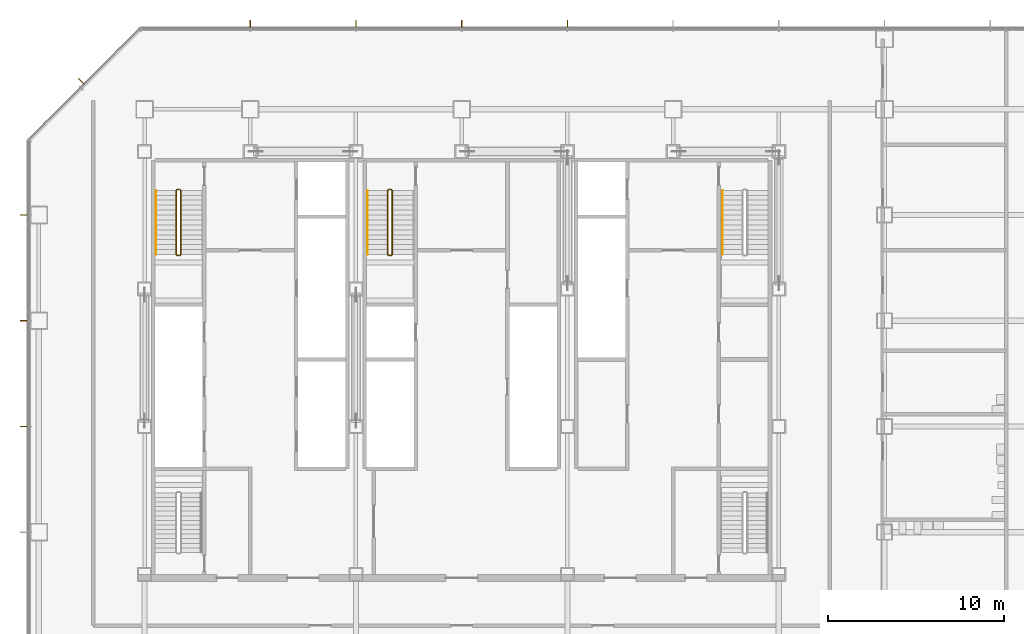
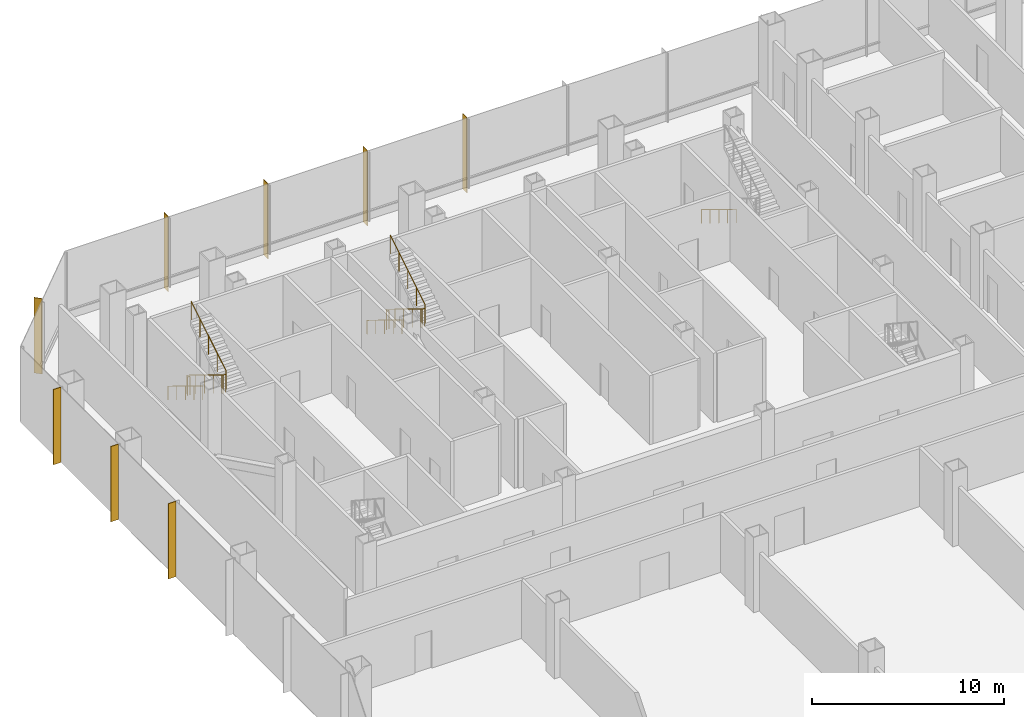
# One storey, part 29 of 33: 8 shading devices, 5 railings.
"""IFC4 building model written with IfcOpenShell, lengths in metres."""

from ifc_helpers import new_model, si_unit, direction, frame, origin, origin_2d, place, context, subcontext, project, spatial, rectangle, circle, extrude, material, material_profile, profile_set, type_object, element, save


model = new_model("IFC4")

# Units and contexts
model_context = context("Model", 3, precision=1e-05, world=origin(), true_north=direction((0.0, 1.0)))
body_context = subcontext(model_context, "Body", "Model", "MODEL_VIEW")
ifc_project = project(units=[si_unit("LENGTHUNIT", "METRE"), si_unit("AREAUNIT", "SQUARE_METRE"), si_unit("VOLUMEUNIT", "CUBIC_METRE"), si_unit("PLANEANGLEUNIT", "RADIAN"), si_unit("MASSUNIT", "GRAM", prefix="KILO")], contexts=[model_context])

# Site, building, storey
site_placement = place(None, origin())
site = spatial("IfcSite", under=ifc_project, at=site_placement, CompositionType="ELEMENT")
building_placement = place(site_placement, origin())
building = spatial("IfcBuilding", under=site, at=building_placement, Name="Sorahane Residences", CompositionType="ELEMENT")
storey_placement = place(building_placement, frame((0.0, 0.0, 34.800048828125)))
storey = spatial("IfcBuildingStorey", under=building, at=storey_placement, Name="L05", CompositionType="ELEMENT", Elevation=34.800048828125)

# Shading devices
ifc_material_1 = material(Name="Terracotta anodised aluminium", Category="masonry")
ifc_material_profile = material_profile(ifc_material_1, rectangle(XDim=0.449951171875, YDim=0.0400390625, at=origin_2d()), Name="Podium vertical fin terracotta anodised aluminium 450x40")
ifc_profile_set = profile_set([ifc_material_profile], Name="Terracotta anodised aluminium")
shading_device_type = type_object("IfcShadingDeviceType", Name="Podium vertical fin terracotta anodised aluminium 450x40", PredefinedType="USERDEFINED", material=ifc_profile_set)
for number, where, z_axis, x_axis, name in (
    (1, (30.0, 52.844970703125, -0.400146484375), (0.0, 0.0, 1.0), (0.0, 1.0, 0.0), "Podium vertical fin L05 N1.6"),
    (2, (24.0, 52.844970703125, -0.400146484375), (0.0, 0.0, 1.0), (0.0, 1.0, 0.0), "Podium vertical fin L05 N1.7"),
    (3, (18.0, 52.844970703125, -0.400146484375), (0.0, 0.0, 1.0), (0.0, 1.0, 0.0), "Podium vertical fin L05 N1.8"),
    (4, (12.0, 52.844970703125, -0.400146484375), (0.0, 0.0, 1.0), (0.0, 1.0, 0.0), "Podium vertical fin L05 N1.9"),
    (5, (2.402587890625, 49.597412109375, -0.400146484375), (0.0, 0.0, 1.0), (-0.707106781187, 0.707106781187, 0.0), "Podium vertical fin L05 NW1.1"),
    (6, (-0.844970703125, 42.0, -0.400146484375), (0.0, 0.0, 1.0), (-1.0, 0.0, 0.0), "Podium vertical fin L05 W1.1"),
    (7, (-0.844970703125, 36.0, -0.400146484375), (0.0, 0.0, 1.0), (-1.0, 0.0, 0.0), "Podium vertical fin L05 W1.2"),
    (8, (-0.844970703125, 30.0, -0.400146484375), (0.0, 0.0, 1.0), (-1.0, 0.0, 0.0), "Podium vertical fin L05 W1.3"),
):
    element("IfcShadingDevice", number, at=place(storey_placement, frame(where, z_axis=z_axis, x_axis=x_axis)), inside=storey, type_object=shading_device_type, Name=name, ObjectType="Vertical fin", PredefinedType="USERDEFINED", context=body_context, shape_type="SweptSolid", body=[
        extrude(rectangle(XDim=0.449951171875, YDim=0.0400390625, at=origin_2d()), origin(), (0.0, 0.0, 1.0), 4.800048828125),
    ])

# Railings
ifc_material_2 = material(Name="Steel Q355B", Category="steel")
railing_type_1 = type_object("IfcRailingType", Name="Stair guard 1200 Steel Q355B", PredefinedType="GUARDRAIL", material=ifc_material_2)
railing_1_placement = place(storey_placement, frame((8.0, 43.449951171875, 0.0)))
element("IfcRailing", 9, at=railing_1_placement, inside=storey, type_object=railing_type_1, Name="L05 S1 stair guard 1", PredefinedType="GUARDRAIL", context=body_context, shape_type="SweptSolid", body=[
    extrude(circle(Radius=0.02392578125, at=origin_2d()), frame((0.0, 0.0, 1.17578125), z_axis=(-1.0, 0.0, 0.0), x_axis=(0.0, -1.0, 0.0)), (0.0, 0.0, 1.0), 0.14990234375),
    extrude(circle(Radius=0.02392578125, at=origin_2d()), frame((-0.14990234375, 0.0, 1.17578125), z_axis=(-0.269911200495, -0.269911200495, 0.924281281696), x_axis=(0.707106781187, -0.707106781187, 0.0)), (0.0, 0.0, 1.0), 0.185546875),
    extrude(circle(Radius=0.02392578125, at=origin_2d()), frame((-0.199951171875, -0.050048828125, 1.34716796875), z_axis=(0.0, -0.852850264322, 0.5221555579), x_axis=(1.0, 0.0, 0.0)), (0.0, 0.0, 1.0), 4.267822265625),
    extrude(circle(Radius=0.02392578125, at=origin_2d()), frame((-0.199951171875, -3.68994140625, 3.57568359375), z_axis=(0.707106781187, -0.707106781187, 0.0), x_axis=(0.707106781187, 0.707106781187, 0.0)), (0.0, 0.0, 1.0), 0.07080078125),
    extrude(circle(Radius=0.02392578125, at=origin_2d()), frame((-0.14990234375, -3.739990234375, 3.57568359375), z_axis=(1.0, 0.0, 0.0), x_axis=(0.0, 1.0, 0.0)), (0.0, 0.0, 1.0), 0.14990234375),
    extrude(circle(Radius=0.02392578125, at=origin_2d()), frame((0.0, -3.739990234375, 3.57568359375), z_axis=(0.269911200495, 0.269911200495, 0.924281281696), x_axis=(-0.707106781187, 0.707106781187, 0.0)), (0.0, 0.0, 1.0), 0.185546875),
    extrude(circle(Radius=0.02392578125, at=origin_2d()), frame((0.050048828125, -3.68994140625, 3.7470703125), z_axis=(0.0, 0.852824790078, 0.522197163366), x_axis=(-1.0, 0.0, 0.0)), (0.0, 0.0, 1.0), 4.26806640625),
    extrude(circle(Radius=0.02099609375, at=origin_2d()), origin(), (0.0, 0.0, 1.0), 1.15185546875),
    extrude(circle(Radius=0.02099609375, at=origin_2d()), frame((-0.14990234375, 0.0, 0.0)), (0.0, 0.0, 1.0), 1.15185546875),
    extrude(circle(Radius=0.02099609375, at=origin_2d()), frame((-0.199951171875, -0.050048828125, 0.17138671875)), (0.0, 0.0, 1.0), 1.15185546875),
    extrude(circle(Radius=0.02099609375, at=origin_2d()), frame((-0.199951171875, -0.9599609375, 0.728515625)), (0.0, 0.0, 1.0), 1.15185546875),
    extrude(circle(Radius=0.02099609375, at=origin_2d()), frame((-0.199951171875, -1.8701171875, 1.28564453125)), (0.0, 0.0, 1.0), 1.15185546875),
    extrude(circle(Radius=0.02099609375, at=origin_2d()), frame((-0.199951171875, -2.780029296875, 1.8427734375)), (0.0, 0.0, 1.0), 1.15185546875),
    extrude(circle(Radius=0.02099609375, at=origin_2d()), frame((-0.199951171875, -3.68994140625, 2.39990234375)), (0.0, 0.0, 1.0), 1.15185546875),
    extrude(circle(Radius=0.02099609375, at=origin_2d()), frame((-0.14990234375, -3.739990234375, 2.39990234375)), (0.0, 0.0, 1.0), 1.15185546875),
    extrude(circle(Radius=0.02099609375, at=origin_2d()), frame((0.0, -3.739990234375, 2.39990234375)), (0.0, 0.0, 1.0), 1.15185546875),
    extrude(circle(Radius=0.02099609375, at=origin_2d()), frame((0.050048828125, -3.68994140625, 2.5712890625)), (0.0, 0.0, 1.0), 1.15185546875),
    extrude(circle(Radius=0.02099609375, at=origin_2d()), frame((0.050048828125, -2.780029296875, 3.12841796875)), (0.0, 0.0, 1.0), 1.15185546875),
    extrude(circle(Radius=0.02099609375, at=origin_2d()), frame((0.050048828125, -1.8701171875, 3.685546875)), (0.0, 0.0, 1.0), 1.15185546875),
    extrude(circle(Radius=0.02099609375, at=origin_2d()), frame((0.050048828125, -0.9599609375, 4.242919921875)), (0.0, 0.0, 1.0), 1.15185546875),
    extrude(circle(Radius=0.02099609375, at=origin_2d()), frame((0.050048828125, -0.050048828125, 4.800048828125)), (0.0, 0.0, 1.0), 1.15185546875),
])
railing_2_placement = place(storey_placement, frame((20.0, 43.449951171875, 0.0)))
element("IfcRailing", 10, at=railing_2_placement, inside=storey, type_object=railing_type_1, Name="L05 S3 stair guard 1", PredefinedType="GUARDRAIL", context=body_context, shape_type="SweptSolid", body=[
    extrude(circle(Radius=0.02392578125, at=origin_2d()), frame((0.0, 0.0, 1.17578125), z_axis=(-1.0, 0.0, 0.0), x_axis=(0.0, -1.0, 0.0)), (0.0, 0.0, 1.0), 0.14990234375),
    extrude(circle(Radius=0.02392578125, at=origin_2d()), frame((-0.14990234375, 0.0, 1.17578125), z_axis=(-0.269911200495, -0.269911200495, 0.924281281696), x_axis=(0.707106781187, -0.707106781187, 0.0)), (0.0, 0.0, 1.0), 0.185546875),
    extrude(circle(Radius=0.02392578125, at=origin_2d()), frame((-0.199951171875, -0.050048828125, 1.34716796875), z_axis=(0.0, -0.852850264322, 0.5221555579), x_axis=(1.0, 0.0, 0.0)), (0.0, 0.0, 1.0), 4.267822265625),
    extrude(circle(Radius=0.02392578125, at=origin_2d()), frame((-0.199951171875, -3.68994140625, 3.57568359375), z_axis=(0.707106781187, -0.707106781187, 0.0), x_axis=(0.707106781187, 0.707106781187, 0.0)), (0.0, 0.0, 1.0), 0.07080078125),
    extrude(circle(Radius=0.02392578125, at=origin_2d()), frame((-0.14990234375, -3.739990234375, 3.57568359375), z_axis=(1.0, 0.0, 0.0), x_axis=(0.0, 1.0, 0.0)), (0.0, 0.0, 1.0), 0.14990234375),
    extrude(circle(Radius=0.02392578125, at=origin_2d()), frame((0.0, -3.739990234375, 3.57568359375), z_axis=(0.269911200495, 0.269911200495, 0.924281281696), x_axis=(-0.707106781187, 0.707106781187, 0.0)), (0.0, 0.0, 1.0), 0.185546875),
    extrude(circle(Radius=0.02392578125, at=origin_2d()), frame((0.050048828125, -3.68994140625, 3.7470703125), z_axis=(0.0, 0.852824790078, 0.522197163366), x_axis=(-1.0, 0.0, 0.0)), (0.0, 0.0, 1.0), 4.26806640625),
    extrude(circle(Radius=0.02099609375, at=origin_2d()), origin(), (0.0, 0.0, 1.0), 1.15185546875),
    extrude(circle(Radius=0.02099609375, at=origin_2d()), frame((-0.14990234375, 0.0, 0.0)), (0.0, 0.0, 1.0), 1.15185546875),
    extrude(circle(Radius=0.02099609375, at=origin_2d()), frame((-0.199951171875, -0.050048828125, 0.17138671875)), (0.0, 0.0, 1.0), 1.15185546875),
    extrude(circle(Radius=0.02099609375, at=origin_2d()), frame((-0.199951171875, -0.9599609375, 0.728515625)), (0.0, 0.0, 1.0), 1.15185546875),
    extrude(circle(Radius=0.02099609375, at=origin_2d()), frame((-0.199951171875, -1.8701171875, 1.28564453125)), (0.0, 0.0, 1.0), 1.15185546875),
    extrude(circle(Radius=0.02099609375, at=origin_2d()), frame((-0.199951171875, -2.780029296875, 1.8427734375)), (0.0, 0.0, 1.0), 1.15185546875),
    extrude(circle(Radius=0.02099609375, at=origin_2d()), frame((-0.199951171875, -3.68994140625, 2.39990234375)), (0.0, 0.0, 1.0), 1.15185546875),
    extrude(circle(Radius=0.02099609375, at=origin_2d()), frame((-0.14990234375, -3.739990234375, 2.39990234375)), (0.0, 0.0, 1.0), 1.15185546875),
    extrude(circle(Radius=0.02099609375, at=origin_2d()), frame((0.0, -3.739990234375, 2.39990234375)), (0.0, 0.0, 1.0), 1.15185546875),
    extrude(circle(Radius=0.02099609375, at=origin_2d()), frame((0.050048828125, -3.68994140625, 2.5712890625)), (0.0, 0.0, 1.0), 1.15185546875),
    extrude(circle(Radius=0.02099609375, at=origin_2d()), frame((0.050048828125, -2.780029296875, 3.12841796875)), (0.0, 0.0, 1.0), 1.15185546875),
    extrude(circle(Radius=0.02099609375, at=origin_2d()), frame((0.050048828125, -1.8701171875, 3.685546875)), (0.0, 0.0, 1.0), 1.15185546875),
    extrude(circle(Radius=0.02099609375, at=origin_2d()), frame((0.050048828125, -0.9599609375, 4.242919921875)), (0.0, 0.0, 1.0), 1.15185546875),
    extrude(circle(Radius=0.02099609375, at=origin_2d()), frame((0.050048828125, -0.050048828125, 4.800048828125)), (0.0, 0.0, 1.0), 1.15185546875),
])
ifc_material_3 = material(Name="Steel Q355B", Category="steel")
railing_type_2 = type_object("IfcRailingType", Name="Stair handrail 900 Steel Q355B", PredefinedType="HANDRAIL", material=ifc_material_3)
for number, where, name in (
    (11, (6.64990234375, 43.39990234375, 0.17138671875), "L05 S1 stair handrail 1"),
    (12, (38.800048828125, 43.39990234375, 0.17138671875), "L05 S2 stair handrail 1"),
    (13, (18.64990234375, 43.39990234375, 0.17138671875), "L05 S3 stair handrail 1"),
):
    element("IfcRailing", number, at=place(storey_placement, frame(where)), inside=storey, type_object=railing_type_2, Name=name, PredefinedType="HANDRAIL", context=body_context, shape_type="SweptSolid", body=[
        extrude(circle(Radius=0.02392578125, at=origin_2d()), frame((0.0, 0.0, 0.8759765625), z_axis=(0.0, -0.852850264322, 0.5221555579), x_axis=(1.0, 0.0, 0.0)), (0.0, 0.0, 1.0), 4.267822265625),
        extrude(circle(Radius=0.02099609375, at=origin_2d()), origin(), (0.0, 0.0, 1.0), 0.851806640625),
        extrude(circle(Radius=0.02099609375, at=origin_2d()), frame((0.0, -0.909912109375, 0.55712890625)), (0.0, 0.0, 1.0), 0.851806640625),
        extrude(circle(Radius=0.02099609375, at=origin_2d()), frame((0.0, -1.81982421875, 1.1142578125)), (0.0, 0.0, 1.0), 0.851806640625),
        extrude(circle(Radius=0.02099609375, at=origin_2d()), frame((0.0, -2.72998046875, 1.67138671875)), (0.0, 0.0, 1.0), 0.851806640625),
        extrude(circle(Radius=0.02099609375, at=origin_2d()), frame((0.0, -3.639892578125, 2.228515625)), (0.0, 0.0, 1.0), 0.851806640625),
    ])

save(model, "model.ifc")
